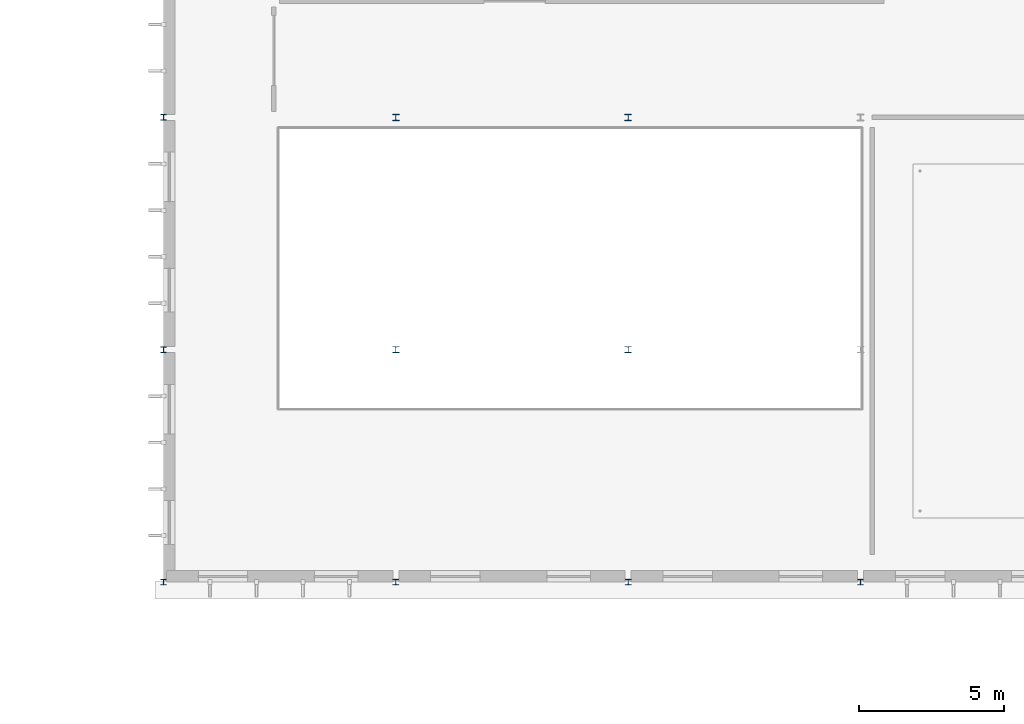
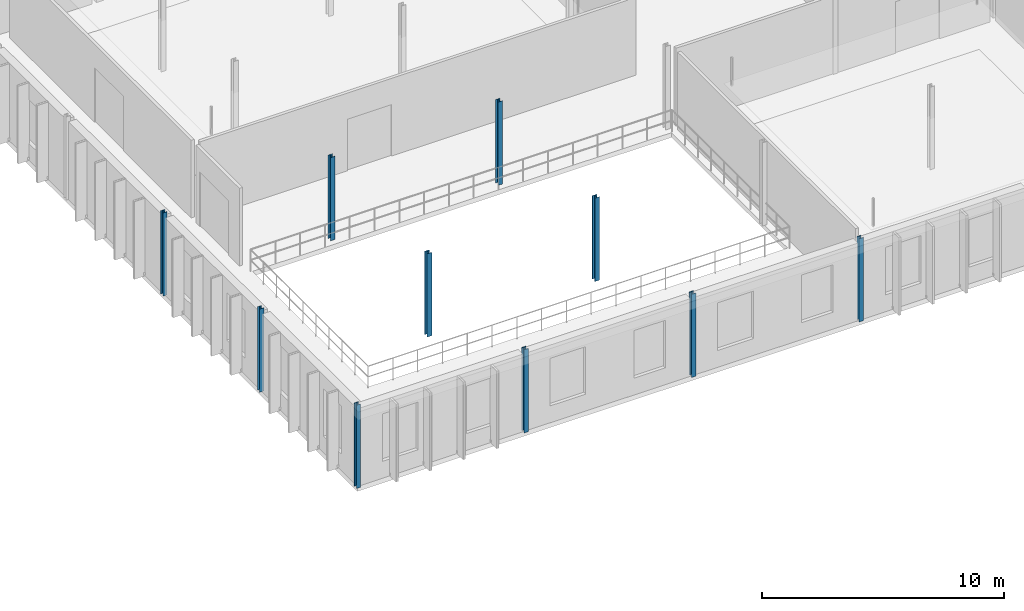
# One storey, part 6 of 67: 10 columns.
"""IFC4 building model written with IfcOpenShell, lengths in metres."""

import ifcopenshell
import ifcopenshell.guid

model = None  # the IFC model being written
_history = None  # IfcOwnerHistory: only IFC2X3 demands one
_inside = {}  # id of a spatial element -> (the spatial element, [elements in it])
_under = {}  # id of a project, library or spatial element -> (it, [spatial elements below it])
_declared = {}  # id of a project -> (the project, [libraries it declares])
_typed = {}  # id of a type object -> (the type object, [elements of that type])
_made_of = {}  # id of a material, layer set ... -> (it, [elements and type objects made of it])


def new_model(schema):
    """Start an empty IFC model of exactly this schema.

    Asked for "IFC4X3", IfcOpenShell would pick the latest addendum, in which some entities
    have other attributes; the version numbers below select the first issue.
    IFC2X3 requires an IfcOwnerHistory on every rooted entity: one is made here for all.
    """
    global model, _history
    if schema == "IFC4X3":
        model = ifcopenshell.file(schema_version=(4, 3, 0, 0))
    else:
        model = ifcopenshell.file(schema=schema)
    _inside.clear()
    _under.clear()
    _declared.clear()
    _typed.clear()
    _made_of.clear()
    _history = None
    if model.schema == "IFC2X3":
        org = make("IfcOrganization", Name="unknown")
        user = make(
            "IfcPersonAndOrganization",
            ThePerson=make("IfcPerson", FamilyName="unknown"),
            TheOrganization=org,
        )
        app = make(
            "IfcApplication",
            ApplicationDeveloper=org,
            Version="unknown",
            ApplicationFullName="unknown",
            ApplicationIdentifier="unknown",
        )
        _history = make(
            "IfcOwnerHistory",
            OwningUser=user,
            OwningApplication=app,
            ChangeAction="ADDED",
            CreationDate=0,
        )
    return model


def make(cls, **values):
    """One entity of the class cls with the attributes given. An attribute that is None is left unset."""
    return model.create_entity(
        cls, **{name: value for name, value in values.items() if value is not None}
    )


def rooted(cls, **values):
    """An entity with a GlobalId (a new one), such as an element, a storey or a relation."""
    return make(cls, GlobalId=ifcopenshell.guid.new(), OwnerHistory=_history, **values)


def si_unit(unit_type, name, prefix=None):
    """IfcSIUnit, for example si_unit("LENGTHUNIT", "METRE", prefix="MILLI")."""
    return make("IfcSIUnit", UnitType=unit_type, Prefix=prefix, Name=name)


def assignment(units):
    """IfcUnitAssignment: the units of a project."""
    return None if units is None else make("IfcUnitAssignment", Units=units)


def point(xyz):
    """IfcCartesianPoint."""
    return None if xyz is None else make("IfcCartesianPoint", Coordinates=xyz)


def direction(xyz):
    """IfcDirection."""
    return None if xyz is None else make("IfcDirection", DirectionRatios=xyz)


def frame(location, z_axis=None, x_axis=None):
    """IfcAxis2Placement3D, a coordinate frame: its origin and axes. An axis left out is left unset."""
    return make(
        "IfcAxis2Placement3D",
        Location=point(location),
        Axis=direction(z_axis),
        RefDirection=direction(x_axis),
    )


def frame_2d(location, x_axis=None):
    """IfcAxis2Placement2D, a coordinate frame in the plane: its origin and x axis."""
    return make(
        "IfcAxis2Placement2D", Location=point(location), RefDirection=direction(x_axis)
    )


def origin():
    """The frame at (0, 0, 0) with its axes left unset."""
    return frame((0.0, 0.0, 0.0))


def origin_2d():
    """The frame at (0, 0) in the plane with its x axis left unset."""
    return frame_2d((0.0, 0.0))


def place(relative_to, where):
    """IfcLocalPlacement: puts the frame where relative to a parent placement (None: the world)."""
    return make(
        "IfcLocalPlacement", PlacementRelTo=relative_to, RelativePlacement=where
    )


def context(
    kind, dimensions, precision=None, world=None, true_north=None, identifier=None
):
    """IfcGeometricRepresentationContext, for example the 3D "Model" context."""
    return make(
        "IfcGeometricRepresentationContext",
        ContextIdentifier=identifier,
        ContextType=kind,
        CoordinateSpaceDimension=dimensions,
        Precision=precision,
        WorldCoordinateSystem=world,
        TrueNorth=true_north,
    )


def subcontext(parent, identifier, kind, view, scale=None):
    """IfcGeometricRepresentationSubContext, for example "Body" below "Model"."""
    return make(
        "IfcGeometricRepresentationSubContext",
        ContextIdentifier=identifier,
        ContextType=kind,
        ParentContext=parent,
        TargetScale=scale,
        TargetView=view,
    )


def project(units=None, contexts=None):
    """IfcProject with its units and contexts."""
    return rooted(
        "IfcProject",
        Name="project",
        RepresentationContexts=contexts,
        UnitsInContext=assignment(units),
    )


def spatial(cls, under=None, at=None, **own):
    """A site, building, storey or space (cls), placed at a placement, below another one or the project."""
    s = rooted(cls, ObjectPlacement=at, **own)
    if under is not None:
        _under.setdefault(under.id(), (under, []))[1].append(s)
    return s


def profile(cls, at=None, kind="AREA", **sizes):
    """A parametric profile (cls). Its sizes go by their IFC names, for example OverallWidth=200.0."""
    return make(cls, ProfileType=kind, Position=at, **sizes)


def i_section(**sizes):
    """IfcIShapeProfileDef."""
    return profile("IfcIShapeProfileDef", **sizes)


def extrude(swept, where, along, depth):
    """IfcExtrudedAreaSolid: the profile swept, set in the frame where, extruded along a direction by depth."""
    return make(
        "IfcExtrudedAreaSolid",
        SweptArea=swept,
        Position=where,
        ExtrudedDirection=direction(along),
        Depth=depth,
    )


def shape(context_of_items, identifier, shape_type, items):
    """IfcShapeRepresentation: the items that make up one representation, for example the "Body"."""
    return make(
        "IfcShapeRepresentation",
        ContextOfItems=context_of_items,
        RepresentationIdentifier=identifier,
        RepresentationType=shape_type,
        Items=items,
    )


def material(Name=None, Category=None):
    """IfcMaterial."""
    return make("IfcMaterial", Name=Name, Category=Category)


def material_profile(
    of_material, cross_section, Name=None, Category=None, Priority=None
):
    """IfcMaterialProfile: a cross section and its material."""
    return make(
        "IfcMaterialProfile",
        Name=Name,
        Material=of_material,
        Profile=cross_section,
        Priority=Priority,
        Category=Category,
    )


def profile_set(profiles, Name=None, composite=None):
    """IfcMaterialProfileSet."""
    return make(
        "IfcMaterialProfileSet",
        Name=Name,
        MaterialProfiles=profiles,
        CompositeProfile=composite,
    )


def made_of(thing, what):
    """Note that an element or type object is made of a material, layer set ...; save() writes the relation."""
    if what is not None:
        _made_of.setdefault(what.id(), (what, []))[1].append(thing)
    return thing


def type_object(cls, material=None, **own):
    """A type object (cls), such as IfcWallType, which elements share."""
    return made_of(rooted(cls, **own), material)


def element(
    cls,
    number,
    at=None,
    inside=None,
    cuts=None,
    type_object=None,
    material=None,
    context=None,
    identifier="Body",
    shape_type=None,
    held_by="IfcProductDefinitionShape",
    body=None,
    shapes=None,
    **own,
):
    """One element of the class cls, such as IfcWall. Its Tag is "e" and its number.

    at: its placement. inside: the storey or other place that contains it. cuts: it is an
    opening in that element (IfcRelVoidsElement). A single representation is given by context,
    identifier, shape_type and body (its items); several are given by shapes. held_by: the class
    of the entity that holds the representations. save() writes the other relations.
    """
    e = rooted(cls, Tag="e%d" % number, ObjectPlacement=at, **own)
    if body is not None:
        shapes = [shape(context, identifier, shape_type, body)]
    if shapes is not None:
        e.Representation = make(held_by, Representations=shapes)
    if inside is not None:
        _inside.setdefault(inside.id(), (inside, []))[1].append(e)
    if cuts is not None:
        rooted(
            "IfcRelVoidsElement", RelatingBuildingElement=cuts, RelatedOpeningElement=e
        )
    if type_object is not None:
        _typed.setdefault(type_object.id(), (type_object, []))[1].append(e)
    return made_of(e, material)


def aggregate(whole, parts):
    """IfcRelAggregates: a whole, such as a stair, and the parts it consists of."""
    return rooted("IfcRelAggregates", RelatingObject=whole, RelatedObjects=parts)


def save(model, path):
    """Write the relations noted so far, then the file.

    IfcRelAggregates (storeys below a building ...), IfcRelContainedInSpatialStructure (elements
    in a storey), IfcRelDefinesByType, IfcRelAssociatesMaterial and IfcRelDeclares: one each for
    every whole, place, type object, material and project.
    """
    for whole, parts in _under.values():
        aggregate(whole, parts)
    for where, things in _inside.values():
        rooted(
            "IfcRelContainedInSpatialStructure",
            RelatedElements=things,
            RelatingStructure=where,
        )
    for kind, things in _typed.values():
        rooted("IfcRelDefinesByType", RelatedObjects=things, RelatingType=kind)
    for what, things in _made_of.values():
        rooted("IfcRelAssociatesMaterial", RelatedObjects=things, RelatingMaterial=what)
    for by, libraries in _declared.values():
        rooted("IfcRelDeclares", RelatingContext=by, RelatedDefinitions=libraries)
    model.write(path)


model = new_model("IFC4")

# Units and contexts
model_context = context("Model", 3, precision=1e-05, world=origin(), true_north=direction((0.0, 1.0)))
body_context = subcontext(model_context, "Body", "Model", "MODEL_VIEW")
ifc_project = project(units=[si_unit("LENGTHUNIT", "METRE"), si_unit("AREAUNIT", "SQUARE_METRE"), si_unit("VOLUMEUNIT", "CUBIC_METRE"), si_unit("PLANEANGLEUNIT", "RADIAN"), si_unit("MASSUNIT", "GRAM", prefix="KILO")], contexts=[model_context])

# Site, building, storey
site_placement = place(None, origin())
site = spatial("IfcSite", under=ifc_project, at=site_placement, CompositionType="ELEMENT")
building_placement = place(site_placement, origin())
building = spatial("IfcBuilding", under=site, at=building_placement, Name="Sundkrona Museum", CompositionType="ELEMENT")
storey_placement = place(building_placement, frame((0.0, 0.0, 21.800048828125)))
storey = spatial("IfcBuildingStorey", under=building, at=storey_placement, Name="L04", CompositionType="ELEMENT", Elevation=21.800048828125)

# Columns
ifc_material = material(Name="Steel S355J2", Category="steel")
ifc_material_profile_1 = material_profile(ifc_material, i_section(OverallWidth=0.199951171875, OverallDepth=0.199951171875, WebThickness=0.009033203125, FlangeThickness=0.014892578125, FilletRadius=0.01806640625, at=origin_2d()), Name="HEB 200")
ifc_profile_set_1 = profile_set([ifc_material_profile_1], Name="Steel S355J2")
column_type_1 = type_object("IfcColumnType", Name="C-HEB200", PredefinedType="COLUMN", material=ifc_profile_set_1)
for number, where, z_axis, x_axis, name in (
    (1, (16.0, 78.0, 0.0), (0.0, 0.0, 1.0), (1.0, 0.0, 0.0), "L04 Column L/3"),
    (2, (16.0, 86.0, 0.0), (0.0, 0.0, 1.0), (1.0, 0.0, 0.0), "L04 Column M/3"),
    (3, (16.0, 94.0, 0.0), (0.0, 0.0, 1.0), (1.0, 0.0, 0.0), "L04 Column N/3"),
    (4, (24.0, 78.0, 0.0), (0.0, 0.0, 1.0), (1.0, 0.0, 0.0), "L04 Column L/4"),
    (5, (32.0, 78.0, 0.0), (0.0, 0.0, 1.0), (1.0, 0.0, 0.0), "L04 Column L/5"),
    (6, (40.0, 78.0, 0.0), (0.0, 0.0, 1.0), (1.0, 0.0, 0.0), "L04 Column L/6"),
):
    element("IfcColumn", number, at=place(storey_placement, frame(where, z_axis=z_axis, x_axis=x_axis)), inside=storey, type_object=column_type_1, Name=name, PredefinedType="COLUMN", context=body_context, shape_type="SweptSolid", body=[
        extrude(i_section(OverallWidth=0.199951171875, OverallDepth=0.199951171875, WebThickness=0.009033203125, FlangeThickness=0.014892578125, FilletRadius=0.01806640625, at=origin_2d()), origin(), (0.0, 0.0, 1.0), 4.199951171875),
    ])
ifc_material_profile_2 = material_profile(ifc_material, i_section(OverallWidth=0.219970703125, OverallDepth=0.219970703125, WebThickness=0.009521484375, FlangeThickness=0.01611328125, FilletRadius=0.01806640625, at=origin_2d()), Name="HEB 220")
ifc_profile_set_2 = profile_set([ifc_material_profile_2], Name="Steel S355J2")
column_type_2 = type_object("IfcColumnType", Name="C-HEB220", PredefinedType="COLUMN", material=ifc_profile_set_2)
for number, where, z_axis, x_axis, name in (
    (7, (24.0, 86.0, 0.0), (0.0, 0.0, 1.0), (1.0, 0.0, 0.0), "L04 Column M/4"),
    (8, (24.0, 94.0, 0.0), (0.0, 0.0, 1.0), (1.0, 0.0, 0.0), "L04 Column N/4"),
    (9, (32.0, 86.0, 0.0), (0.0, 0.0, 1.0), (1.0, 0.0, 0.0), "L04 Column M/5"),
    (10, (32.0, 94.0, 0.0), (0.0, 0.0, 1.0), (1.0, 0.0, 0.0), "L04 Column N/5"),
):
    element("IfcColumn", number, at=place(storey_placement, frame(where, z_axis=z_axis, x_axis=x_axis)), inside=storey, type_object=column_type_2, Name=name, PredefinedType="COLUMN", context=body_context, shape_type="SweptSolid", body=[
        extrude(i_section(OverallWidth=0.219970703125, OverallDepth=0.219970703125, WebThickness=0.009521484375, FlangeThickness=0.01611328125, FilletRadius=0.01806640625, at=origin_2d()), origin(), (0.0, 0.0, 1.0), 4.199951171875),
    ])

save(model, "model.ifc")
